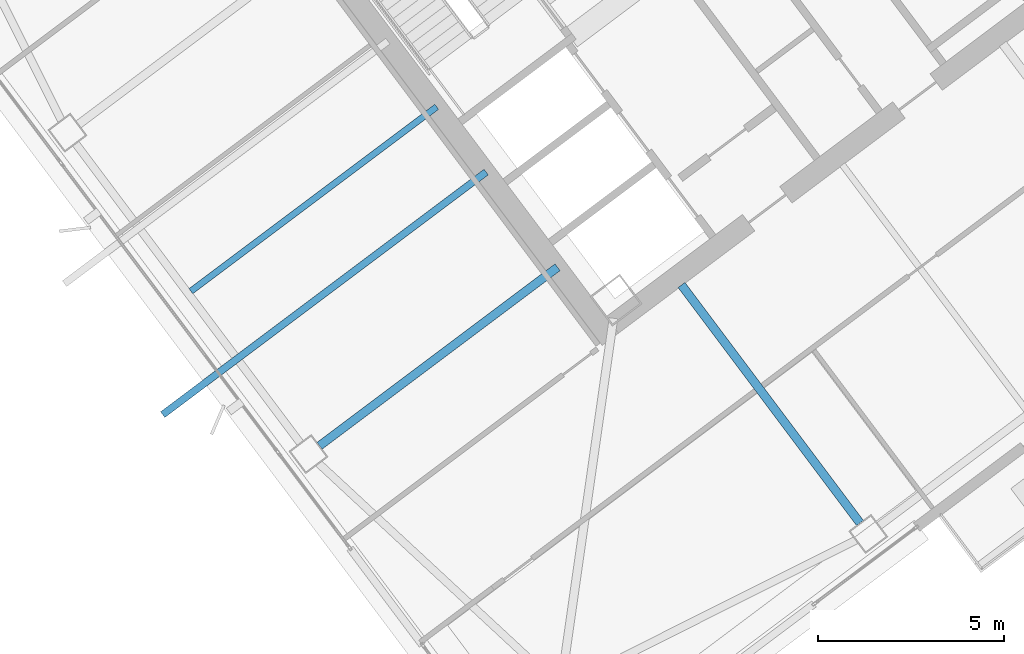
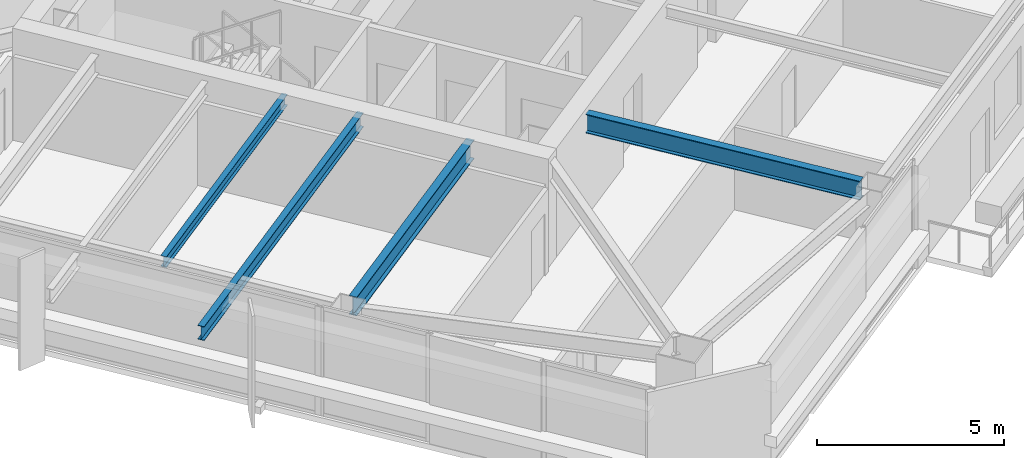
# One storey, part 21 of 46: 4 beams.
"""IFC4 building model written with IfcOpenShell, lengths in metres."""

import ifcopenshell
import ifcopenshell.guid

model = None  # the IFC model being written
_history = None  # IfcOwnerHistory: only IFC2X3 demands one
_inside = {}  # id of a spatial element -> (the spatial element, [elements in it])
_under = {}  # id of a project, library or spatial element -> (it, [spatial elements below it])
_declared = {}  # id of a project -> (the project, [libraries it declares])
_typed = {}  # id of a type object -> (the type object, [elements of that type])
_made_of = {}  # id of a material, layer set ... -> (it, [elements and type objects made of it])


def new_model(schema):
    """Start an empty IFC model of exactly this schema.

    Asked for "IFC4X3", IfcOpenShell would pick the latest addendum, in which some entities
    have other attributes; the version numbers below select the first issue.
    IFC2X3 requires an IfcOwnerHistory on every rooted entity: one is made here for all.
    """
    global model, _history
    if schema == "IFC4X3":
        model = ifcopenshell.file(schema_version=(4, 3, 0, 0))
    else:
        model = ifcopenshell.file(schema=schema)
    _inside.clear()
    _under.clear()
    _declared.clear()
    _typed.clear()
    _made_of.clear()
    _history = None
    if model.schema == "IFC2X3":
        org = make("IfcOrganization", Name="unknown")
        user = make(
            "IfcPersonAndOrganization",
            ThePerson=make("IfcPerson", FamilyName="unknown"),
            TheOrganization=org,
        )
        app = make(
            "IfcApplication",
            ApplicationDeveloper=org,
            Version="unknown",
            ApplicationFullName="unknown",
            ApplicationIdentifier="unknown",
        )
        _history = make(
            "IfcOwnerHistory",
            OwningUser=user,
            OwningApplication=app,
            ChangeAction="ADDED",
            CreationDate=0,
        )
    return model


def make(cls, **values):
    """One entity of the class cls with the attributes given. An attribute that is None is left unset."""
    return model.create_entity(
        cls, **{name: value for name, value in values.items() if value is not None}
    )


def rooted(cls, **values):
    """An entity with a GlobalId (a new one), such as an element, a storey or a relation."""
    return make(cls, GlobalId=ifcopenshell.guid.new(), OwnerHistory=_history, **values)


def si_unit(unit_type, name, prefix=None):
    """IfcSIUnit, for example si_unit("LENGTHUNIT", "METRE", prefix="MILLI")."""
    return make("IfcSIUnit", UnitType=unit_type, Prefix=prefix, Name=name)


def assignment(units):
    """IfcUnitAssignment: the units of a project."""
    return None if units is None else make("IfcUnitAssignment", Units=units)


def point(xyz):
    """IfcCartesianPoint."""
    return None if xyz is None else make("IfcCartesianPoint", Coordinates=xyz)


def direction(xyz):
    """IfcDirection."""
    return None if xyz is None else make("IfcDirection", DirectionRatios=xyz)


def frame(location, z_axis=None, x_axis=None):
    """IfcAxis2Placement3D, a coordinate frame: its origin and axes. An axis left out is left unset."""
    return make(
        "IfcAxis2Placement3D",
        Location=point(location),
        Axis=direction(z_axis),
        RefDirection=direction(x_axis),
    )


def frame_2d(location, x_axis=None):
    """IfcAxis2Placement2D, a coordinate frame in the plane: its origin and x axis."""
    return make(
        "IfcAxis2Placement2D", Location=point(location), RefDirection=direction(x_axis)
    )


def origin():
    """The frame at (0, 0, 0) with its axes left unset."""
    return frame((0.0, 0.0, 0.0))


def origin_2d():
    """The frame at (0, 0) in the plane with its x axis left unset."""
    return frame_2d((0.0, 0.0))


def place(relative_to, where):
    """IfcLocalPlacement: puts the frame where relative to a parent placement (None: the world)."""
    return make(
        "IfcLocalPlacement", PlacementRelTo=relative_to, RelativePlacement=where
    )


def context(
    kind, dimensions, precision=None, world=None, true_north=None, identifier=None
):
    """IfcGeometricRepresentationContext, for example the 3D "Model" context."""
    return make(
        "IfcGeometricRepresentationContext",
        ContextIdentifier=identifier,
        ContextType=kind,
        CoordinateSpaceDimension=dimensions,
        Precision=precision,
        WorldCoordinateSystem=world,
        TrueNorth=true_north,
    )


def subcontext(parent, identifier, kind, view, scale=None):
    """IfcGeometricRepresentationSubContext, for example "Body" below "Model"."""
    return make(
        "IfcGeometricRepresentationSubContext",
        ContextIdentifier=identifier,
        ContextType=kind,
        ParentContext=parent,
        TargetScale=scale,
        TargetView=view,
    )


def project(units=None, contexts=None):
    """IfcProject with its units and contexts."""
    return rooted(
        "IfcProject",
        Name="project",
        RepresentationContexts=contexts,
        UnitsInContext=assignment(units),
    )


def spatial(cls, under=None, at=None, **own):
    """A site, building, storey or space (cls), placed at a placement, below another one or the project."""
    s = rooted(cls, ObjectPlacement=at, **own)
    if under is not None:
        _under.setdefault(under.id(), (under, []))[1].append(s)
    return s


def profile(cls, at=None, kind="AREA", **sizes):
    """A parametric profile (cls). Its sizes go by their IFC names, for example OverallWidth=200.0."""
    return make(cls, ProfileType=kind, Position=at, **sizes)


def i_section(**sizes):
    """IfcIShapeProfileDef."""
    return profile("IfcIShapeProfileDef", **sizes)


def extrude(swept, where, along, depth):
    """IfcExtrudedAreaSolid: the profile swept, set in the frame where, extruded along a direction by depth."""
    return make(
        "IfcExtrudedAreaSolid",
        SweptArea=swept,
        Position=where,
        ExtrudedDirection=direction(along),
        Depth=depth,
    )


def shape(context_of_items, identifier, shape_type, items):
    """IfcShapeRepresentation: the items that make up one representation, for example the "Body"."""
    return make(
        "IfcShapeRepresentation",
        ContextOfItems=context_of_items,
        RepresentationIdentifier=identifier,
        RepresentationType=shape_type,
        Items=items,
    )


def material(Name=None, Category=None):
    """IfcMaterial."""
    return make("IfcMaterial", Name=Name, Category=Category)


def material_profile(
    of_material, cross_section, Name=None, Category=None, Priority=None
):
    """IfcMaterialProfile: a cross section and its material."""
    return make(
        "IfcMaterialProfile",
        Name=Name,
        Material=of_material,
        Profile=cross_section,
        Priority=Priority,
        Category=Category,
    )


def profile_set(profiles, Name=None, composite=None):
    """IfcMaterialProfileSet."""
    return make(
        "IfcMaterialProfileSet",
        Name=Name,
        MaterialProfiles=profiles,
        CompositeProfile=composite,
    )


def made_of(thing, what):
    """Note that an element or type object is made of a material, layer set ...; save() writes the relation."""
    if what is not None:
        _made_of.setdefault(what.id(), (what, []))[1].append(thing)
    return thing


def type_object(cls, material=None, **own):
    """A type object (cls), such as IfcWallType, which elements share."""
    return made_of(rooted(cls, **own), material)


def element(
    cls,
    number,
    at=None,
    inside=None,
    cuts=None,
    type_object=None,
    material=None,
    context=None,
    identifier="Body",
    shape_type=None,
    held_by="IfcProductDefinitionShape",
    body=None,
    shapes=None,
    **own,
):
    """One element of the class cls, such as IfcWall. Its Tag is "e" and its number.

    at: its placement. inside: the storey or other place that contains it. cuts: it is an
    opening in that element (IfcRelVoidsElement). A single representation is given by context,
    identifier, shape_type and body (its items); several are given by shapes. held_by: the class
    of the entity that holds the representations. save() writes the other relations.
    """
    e = rooted(cls, Tag="e%d" % number, ObjectPlacement=at, **own)
    if body is not None:
        shapes = [shape(context, identifier, shape_type, body)]
    if shapes is not None:
        e.Representation = make(held_by, Representations=shapes)
    if inside is not None:
        _inside.setdefault(inside.id(), (inside, []))[1].append(e)
    if cuts is not None:
        rooted(
            "IfcRelVoidsElement", RelatingBuildingElement=cuts, RelatedOpeningElement=e
        )
    if type_object is not None:
        _typed.setdefault(type_object.id(), (type_object, []))[1].append(e)
    return made_of(e, material)


def aggregate(whole, parts):
    """IfcRelAggregates: a whole, such as a stair, and the parts it consists of."""
    return rooted("IfcRelAggregates", RelatingObject=whole, RelatedObjects=parts)


def save(model, path):
    """Write the relations noted so far, then the file.

    IfcRelAggregates (storeys below a building ...), IfcRelContainedInSpatialStructure (elements
    in a storey), IfcRelDefinesByType, IfcRelAssociatesMaterial and IfcRelDeclares: one each for
    every whole, place, type object, material and project.
    """
    for whole, parts in _under.values():
        aggregate(whole, parts)
    for where, things in _inside.values():
        rooted(
            "IfcRelContainedInSpatialStructure",
            RelatedElements=things,
            RelatingStructure=where,
        )
    for kind, things in _typed.values():
        rooted("IfcRelDefinesByType", RelatedObjects=things, RelatingType=kind)
    for what, things in _made_of.values():
        rooted("IfcRelAssociatesMaterial", RelatedObjects=things, RelatingMaterial=what)
    for by, libraries in _declared.values():
        rooted("IfcRelDeclares", RelatingContext=by, RelatedDefinitions=libraries)
    model.write(path)


model = new_model("IFC4")

# Units and contexts
model_context = context("Model", 3, precision=1e-05, world=origin(), true_north=direction((0.0, 1.0)))
body_context = subcontext(model_context, "Body", "Model", "MODEL_VIEW")
ifc_project = project(units=[si_unit("LENGTHUNIT", "METRE"), si_unit("AREAUNIT", "SQUARE_METRE"), si_unit("VOLUMEUNIT", "CUBIC_METRE"), si_unit("PLANEANGLEUNIT", "RADIAN"), si_unit("MASSUNIT", "GRAM", prefix="KILO")], contexts=[model_context])

# Site, building, storey
site_placement = place(None, origin())
site = spatial("IfcSite", under=ifc_project, at=site_placement, CompositionType="ELEMENT")
building_placement = place(site_placement, origin())
building = spatial("IfcBuilding", under=site, at=building_placement, Name="Tashvorn Skyway Center", CompositionType="ELEMENT")
storey_placement = place(building_placement, frame((0.0, 0.0, 167.64990234375)))
storey = spatial("IfcBuildingStorey", under=building, at=storey_placement, Name="L45", CompositionType="ELEMENT", Elevation=167.64990234375)

# Beams
ifc_material = material(Name="Steel ASTM A992 Grade 50", Category="steel")
ifc_material_profile_1 = material_profile(ifc_material, i_section(OverallWidth=0.22998046875, OverallDepth=0.616943359375, WebThickness=0.01318359375, FlangeThickness=0.022216796875, at=origin_2d()), Name="W24X94")
ifc_profile_set_1 = profile_set([ifc_material_profile_1], Name="Steel ASTM A992 Grade 50")
beam_type_1 = type_object("IfcBeamType", Name="BM-BEAM-W24X94", PredefinedType="BEAM", material=ifc_profile_set_1)
beam_1_placement = place(storey_placement, frame((119.14794921875, 16.135986328125, 3.0615234375), z_axis=(-0.60000976564, 0.799992675677, 0.0), x_axis=(-0.799992675677, -0.60000976564, 0.0)))
element("IfcBeam", 1, at=beam_1_placement, inside=storey, type_object=beam_type_1, Name="Tower 2 L45 Primary Floor Girder FC-S1", PredefinedType="BEAM", context=body_context, shape_type="SweptSolid", body=[
    extrude(i_section(OverallWidth=0.22998046875, OverallDepth=0.616943359375, WebThickness=0.01318359375, FlangeThickness=0.022216796875, at=origin_2d()), origin(), (0.0, 0.0, 1.0), 8.0),
])
beam_2_placement = place(storey_placement, frame((104.615966796875, 18.2119140625, 3.0615234375), z_axis=(0.800003662027, 0.599995117266, 0.0), x_axis=(-0.599995117266, 0.800003662027, 0.0)))
element("IfcBeam", 2, at=beam_2_placement, inside=storey, type_object=beam_type_1, Name="Tower 2 L45 Primary Floor Girder FC-W2", PredefinedType="BEAM", context=body_context, shape_type="SweptSolid", body=[
    extrude(i_section(OverallWidth=0.22998046875, OverallDepth=0.616943359375, WebThickness=0.01318359375, FlangeThickness=0.022216796875, at=origin_2d()), origin(), (0.0, 0.0, 1.0), 8.000244140625),
])
ifc_material_profile_2 = material_profile(ifc_material, i_section(OverallWidth=0.1708984375, OverallDepth=0.35498046875, WebThickness=0.007080078125, FlangeThickness=0.01171875, at=origin_2d()), Name="W14X34")
ifc_profile_set_2 = profile_set([ifc_material_profile_2], Name="Steel ASTM A992 Grade 50")
beam_type_2 = type_object("IfcBeamType", Name="BM-JOIST-W14X34", PredefinedType="JOIST", material=ifc_profile_set_2)
beam_3_placement = place(storey_placement, frame((107.76806640625, 27.325927734375, 3.192626953125), z_axis=(-0.800003545708, -0.59999527236, 0.0), x_axis=(0.59999527236, -0.800003545708, 0.0)))
element("IfcBeam", 3, at=beam_3_placement, inside=storey, type_object=beam_type_2, Name="Tower 2 L45 Secondary Composite Joist JW", PredefinedType="JOIST", context=body_context, shape_type="SweptSolid", body=[
    extrude(i_section(OverallWidth=0.1708984375, OverallDepth=0.35498046875, WebThickness=0.007080078125, FlangeThickness=0.01171875, at=origin_2d()), origin(), (0.0, 0.0, 1.0), 8.2626953125),
])
ifc_material_profile_3 = material_profile(ifc_material, i_section(OverallWidth=0.19091796875, OverallDepth=0.4599609375, WebThickness=0.010009765625, FlangeThickness=0.01611328125, at=origin_2d()), Name="W18X55")
ifc_profile_set_3 = profile_set([ifc_material_profile_3], Name="Steel ASTM A992 Grade 50")
beam_type_3 = type_object("IfcBeamType", Name="BM-JOIST-W18X55", PredefinedType="JOIST", material=ifc_profile_set_3)
beam_4_placement = place(storey_placement, frame((109.095947265625, 25.572021484375, 3.14013671875), z_axis=(-0.800002695192, -0.599996406394, 0.0), x_axis=(0.599996406394, -0.800002695192, 0.0)))
element("IfcBeam", 4, at=beam_4_placement, inside=storey, type_object=beam_type_3, Name="Tower 2 L46 Terrace Cantilever Outlooker 1", PredefinedType="JOIST", context=body_context, shape_type="SweptSolid", body=[
    extrude(i_section(OverallWidth=0.19091796875, OverallDepth=0.4599609375, WebThickness=0.010009765625, FlangeThickness=0.01611328125, at=origin_2d()), origin(), (0.0, 0.0, 1.0), 10.8701171875),
])

save(model, "model.ifc")
